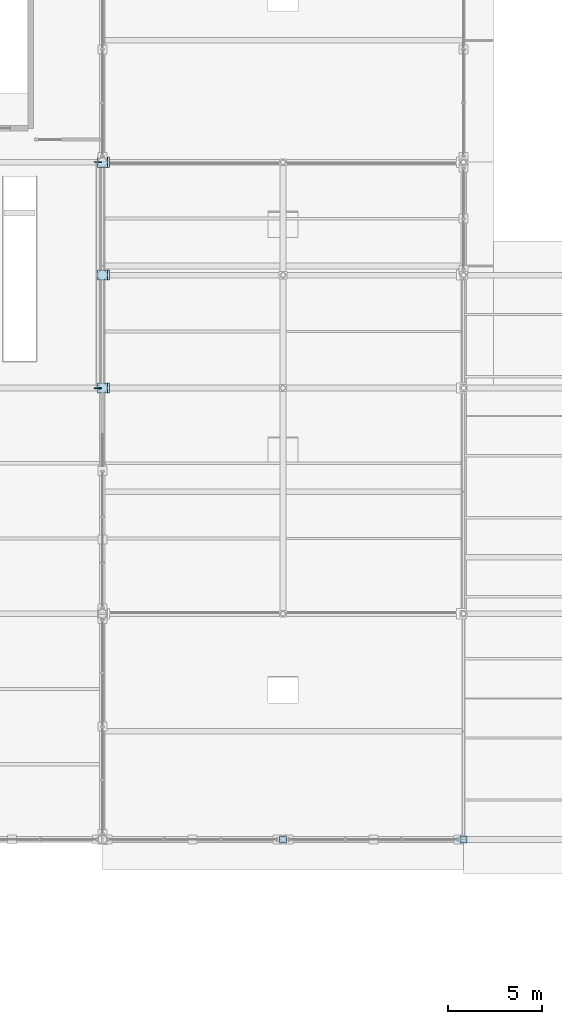
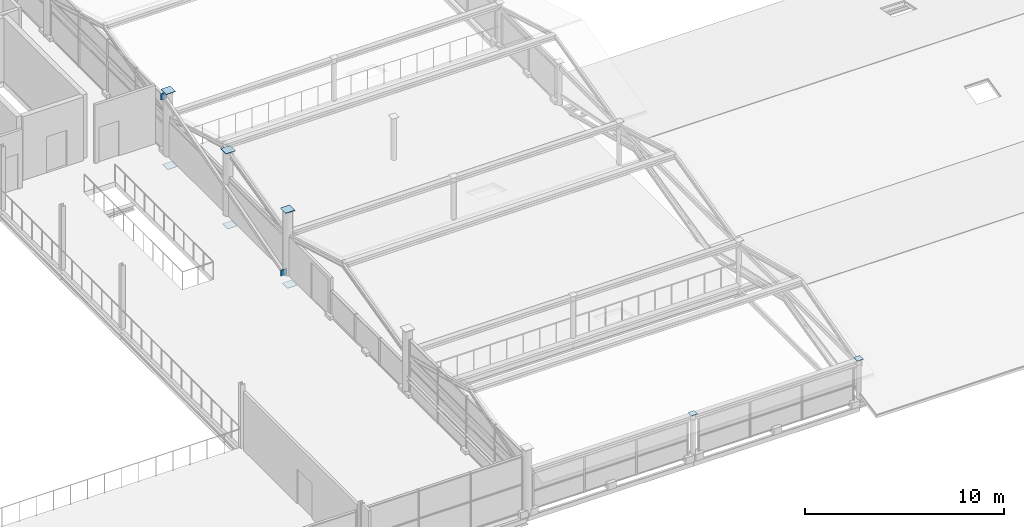
# One storey, part 98 of 117: 10 plates.
"""IFC4 building model written with IfcOpenShell, lengths in metres."""

from ifc_helpers import new_model, si_unit, direction, frame, origin, origin_2d, place, context, subcontext, project, spatial, rectangle, extrude, material, layer, layer_set, type_object, element, save


model = new_model("IFC4")

# Units and contexts
model_context = context("Model", 3, precision=1e-05, world=origin(), true_north=direction((0.0, 1.0)))
body_context = subcontext(model_context, "Body", "Model", "MODEL_VIEW")
ifc_project = project(units=[si_unit("LENGTHUNIT", "METRE"), si_unit("AREAUNIT", "SQUARE_METRE"), si_unit("VOLUMEUNIT", "CUBIC_METRE"), si_unit("PLANEANGLEUNIT", "RADIAN"), si_unit("MASSUNIT", "GRAM", prefix="KILO")], contexts=[model_context])

# Site, building, storey
site_placement = place(None, origin())
site = spatial("IfcSite", under=ifc_project, at=site_placement, CompositionType="ELEMENT")
building_placement = place(site_placement, origin())
building = spatial("IfcBuilding", under=site, at=building_placement, Name="Merenkruunu Market Hall", CompositionType="ELEMENT")
storey_placement = place(building_placement, frame((0.0, 0.0, 10.199951171875)))
storey = spatial("IfcBuildingStorey", under=building, at=storey_placement, Name="L02", CompositionType="ELEMENT", Elevation=10.199951171875)

# Plates
ifc_material = material(Name="Steel S355ML", Category="steel")
ifc_layer_1 = layer(ifc_material, 0.02001953125)
ifc_layer_set_1 = layer_set([ifc_layer_1], Name="Steel S355ML")
plate_type_1 = type_object("IfcPlateType", Name="Truss Gusset Or Cap Plate CP01", PredefinedType="USERDEFINED", material=ifc_layer_set_1)
for number, where, z_axis, x_axis, name in (
    (1, (67.199951171875, 15.60009765625, 2.59814453125), (0.0, 0.0, 1.0), (1.0, 0.0, 0.0), "PLT-CAP-029"),
    (2, (76.800048828125, 15.60009765625, 2.59814453125), (0.0, 0.0, 1.0), (1.0, 0.0, 0.0), "PLT-CAP-039"),
):
    element("IfcPlate", number, at=place(storey_placement, frame(where, z_axis=z_axis, x_axis=x_axis)), inside=storey, type_object=plate_type_1, Name=name, ObjectType="GUSSET_PLATE", PredefinedType="USERDEFINED", context=body_context, shape_type="SweptSolid", body=[
        extrude(rectangle(XDim=0.360107421875, YDim=0.360107421875, at=origin_2d()), origin(), (0.0, 0.0, 1.0), 0.02001953125),
    ])
ifc_layer_2 = layer(ifc_material, 0.02392578125)
ifc_layer_set_2 = layer_set([ifc_layer_2], Name="Steel S355ML")
plate_type_2 = type_object("IfcPlateType", Name="Truss Gusset Or Cap Plate CP03", PredefinedType="USERDEFINED", material=ifc_layer_set_2)
for number, where, z_axis, x_axis, name in (
    (3, (57.60009765625, 39.60009765625, 3.898193359375), (0.0, 0.0, 1.0), (1.0, 0.0, 0.0), "PLT-CAP-020"),
    (4, (57.60009765625, 45.60009765625, 3.898193359375), (0.0, 0.0, 1.0), (1.0, 0.0, 0.0), "PLT-CAP-021"),
    (5, (57.60009765625, 51.60009765625, 3.898193359375), (0.0, 0.0, 1.0), (1.0, 0.0, 0.0), "PLT-CAP-022"),
    (6, (57.699951171875, 39.60009765625, -0.73388671875), (0.0, 0.0, 1.0), (1.0, 0.0, 0.0), "PLT-SB-SEAT-W-02"),
    (7, (57.699951171875, 45.60009765625, -0.73388671875), (0.0, 0.0, 1.0), (1.0, 0.0, 0.0), "PLT-SB-SEAT-W-03"),
    (8, (57.699951171875, 51.60009765625, -0.73388671875), (0.0, 0.0, 1.0), (1.0, 0.0, 0.0), "PLT-SB-SEAT-W-04"),
):
    element("IfcPlate", number, at=place(storey_placement, frame(where, z_axis=z_axis, x_axis=x_axis)), inside=storey, type_object=plate_type_2, Name=name, ObjectType="GUSSET_PLATE", PredefinedType="USERDEFINED", context=body_context, shape_type="SweptSolid", body=[
        extrude(rectangle(XDim=0.5400390625, YDim=0.5400390625, at=origin_2d()), origin(), (0.0, 0.0, 1.0), 0.02392578125),
    ])
ifc_layer_3 = layer(ifc_material, 0.035888671875)
ifc_layer_set_3 = layer_set([ifc_layer_3], Name="Steel S355ML")
plate_type_3 = type_object("IfcPlateType", Name="Truss Gusset Or Cap Plate CP08", PredefinedType="USERDEFINED", material=ifc_layer_set_3)
for number, where, z_axis, x_axis, name in (
    (9, (57.360107421875, 39.58203125, -0.039794921875), (0.0, 0.0, 1.0), (1.0, 0.0, 0.0), "PLT-CBF12-A"),
    (10, (57.360107421875, 51.617919921875, 3.460205078125), (0.0, 0.0, 1.0), (1.0, 0.0, 0.0), "PLT-CBF12-B"),
):
    element("IfcPlate", number, at=place(storey_placement, frame(where, z_axis=z_axis, x_axis=x_axis)), inside=storey, type_object=plate_type_3, Name=name, ObjectType="GUSSET_PLATE", PredefinedType="USERDEFINED", context=body_context, shape_type="SweptSolid", body=[
        extrude(rectangle(XDim=0.360107421875, YDim=0.035888671875, at=origin_2d()), origin(), (0.0, 0.0, 1.0), 0.3798828125),
    ])

save(model, "model.ifc")
